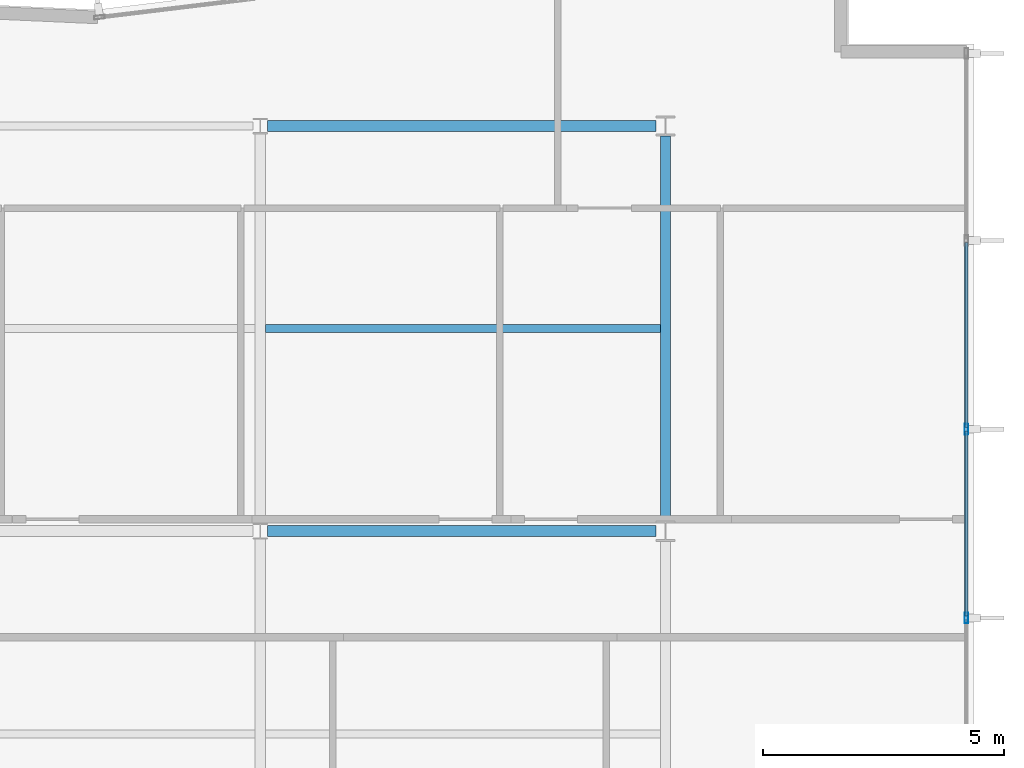
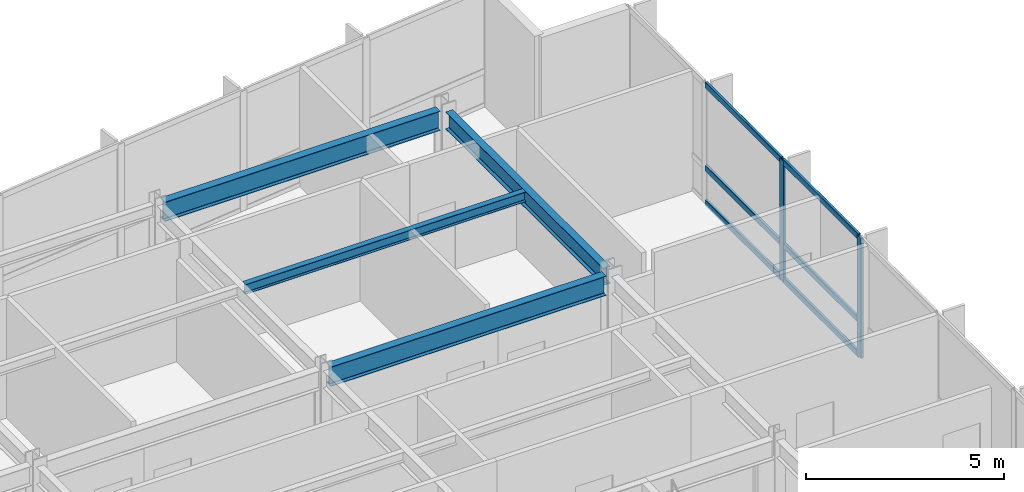
# One storey, part 7 of 17: 8 members, 4 beams, 1 element without a shape of its own.
"""IFC4 building model written with IfcOpenShell, lengths in metres."""

from ifc_helpers import new_model, si_unit, direction, frame, origin, origin_2d, place, context, subcontext, project, spatial, hollow_rectangle, i_section, extrude, material, layer, layer_set, material_profile, profile_set, type_object, element, aggregate, save


model = new_model("IFC4")

# Units and contexts
model_context = context("Model", 3, precision=1e-05, world=origin(), true_north=direction((0.0, 1.0)))
body_context = subcontext(model_context, "Body", "Model", "MODEL_VIEW")
ifc_project = project(units=[si_unit("LENGTHUNIT", "METRE"), si_unit("AREAUNIT", "SQUARE_METRE"), si_unit("VOLUMEUNIT", "CUBIC_METRE"), si_unit("PLANEANGLEUNIT", "RADIAN"), si_unit("MASSUNIT", "GRAM", prefix="KILO")], contexts=[model_context])

# Site, building, storey
site_placement = place(None, origin())
site = spatial("IfcSite", under=ifc_project, at=site_placement, CompositionType="ELEMENT")
building_placement = place(site_placement, origin())
building = spatial("IfcBuilding", under=site, at=building_placement, Name="Varnakote Quay Hospital", CompositionType="ELEMENT")
storey_placement = place(building_placement, frame((0.0, 0.0, 127.050048828125)))
storey = spatial("IfcBuildingStorey", under=building, at=storey_placement, Name="L31", CompositionType="ELEMENT", Elevation=127.050048828125)

# Beams
ifc_material_1 = material(Name="Structural steel AS/NZS 3679.1 Grade 350 L0 (fy 340 MPa)", Category="steel")
ifc_material_profile_1 = material_profile(ifc_material_1, i_section(OverallWidth=0.208984375, OverallDepth=0.532958984375, WebThickness=0.01025390625, FlangeThickness=0.015625, FilletRadius=0.013916015625, at=origin_2d()), Name="530UB92.4")
ifc_profile_set_1 = profile_set([ifc_material_profile_1], Name="Structural steel AS/NZS 3679.1 Grade 350 L0 (fy 340 MPa)")
beam_type_1 = type_object("IfcBeamType", Name="BM-STL-530UB92-4", PredefinedType="BEAM", material=ifc_profile_set_1)
beam_1_placement = place(storey_placement, frame((50.39990234375, 20.610107421875, 3.443359375), z_axis=(0.0, 1.0, 0.0), x_axis=(-1.0, 0.0, 0.0)))
element("IfcBeam", 1, at=beam_1_placement, inside=storey, type_object=beam_type_1, Name="L31 Primary Tie Beam", PredefinedType="BEAM", context=body_context, shape_type="SweptSolid", body=[
    extrude(i_section(OverallWidth=0.208984375, OverallDepth=0.532958984375, WebThickness=0.01025390625, FlangeThickness=0.015625, FilletRadius=0.013916015625, at=origin_2d()), origin(), (0.0, 0.0, 1.0), 7.97998046875),
])
ifc_material_2 = material(Name="Structural steel AS/NZS 3679.1 Grade 350 L0 (fy 340 MPa)", Category="steel")
ifc_material_profile_2 = material_profile(ifc_material_2, i_section(OverallWidth=0.22802734375, OverallDepth=0.60205078125, WebThickness=0.010498046875, FlangeThickness=0.014892578125, FilletRadius=0.013916015625, at=origin_2d()), Name="610UB101")
ifc_profile_set_2 = profile_set([ifc_material_profile_2], Name="Structural steel AS/NZS 3679.1 Grade 350 L0 (fy 340 MPa)")
beam_type_2 = type_object("IfcBeamType", Name="BM-STL-610UB101", PredefinedType="BEAM", material=ifc_profile_set_2)
for number, where, z_axis, x_axis, name in (
    (2, (42.154541015625, 20.39990234375, 3.408935546875), (1.0, 0.0, 0.0), (0.0, 1.0, 0.0), "L31 Primary Floor Beam"),
    (3, (42.154541015625, 28.800048828125, 3.408935546875), (1.0, 0.0, 0.0), (0.0, 1.0, 0.0), "L31 Primary Floor Beam"),
):
    element("IfcBeam", number, at=place(storey_placement, frame(where, z_axis=z_axis, x_axis=x_axis)), inside=storey, type_object=beam_type_2, Name=name, PredefinedType="BEAM", context=body_context, shape_type="SweptSolid", body=[
        extrude(i_section(OverallWidth=0.22802734375, OverallDepth=0.60205078125, WebThickness=0.010498046875, FlangeThickness=0.014892578125, FilletRadius=0.013916015625, at=origin_2d()), origin(), (0.0, 0.0, 1.0), 8.04541015625),
    ])

# Curtain wall, members
ifc_material_3 = material(Name="Anodised aluminium 6063-T6 Bronze", Category="aluminium")
ifc_layer = layer(ifc_material_3, 0.205078125)
ifc_layer_set = layer_set([ifc_layer], Name="Anodised aluminium 6063-T6 Bronze")
curtain_wall_type = type_object("IfcCurtainWallType", Name="CW-SYS-3", PredefinedType="NOTDEFINED", material=ifc_layer_set)
curtain_wall_placement = place(storey_placement, origin())
curtain_wall = element("IfcCurtainWall", 4, at=curtain_wall_placement, inside=storey, type_object=curtain_wall_type, Name="L31 Unitised Bronze Curtain Wall 1", PredefinedType="NOTDEFINED")
ifc_material_4 = material(Name="Anodised aluminium 6063-T6 Bronze", Category="aluminium")
ifc_material_profile_3 = material_profile(ifc_material_4, hollow_rectangle(XDim=0.074951171875, YDim=0.219970703125, WallThickness=0.00439453125, InnerFilletRadius=0.00439453125, OuterFilletRadius=0.009033203125, at=origin_2d()), Name="CW-MULL-220x75")
ifc_profile_set_3 = profile_set([ifc_material_profile_3], Name="Anodised aluminium 6063-T6 Bronze")
member_type_1 = type_object("IfcMemberType", Name="CW-MULL-220x75", PredefinedType="MULLION", material=ifc_profile_set_3)
member_1_placement = place(storey_placement, frame((56.639892578125, 18.60009765625, 0.0), z_axis=(0.0, 0.0, 1.0), x_axis=(-1.0, 0.0, 0.0)))
member_1 = element("IfcMember", 5, at=member_1_placement, type_object=member_type_1, Name="-3-L31-1 mullion 4", PredefinedType="MULLION", context=body_context, shape_type="SweptSolid", body=[
    extrude(hollow_rectangle(XDim=0.074951171875, YDim=0.219970703125, WallThickness=0.00439453125, InnerFilletRadius=0.00439453125, OuterFilletRadius=0.009033203125, at=origin_2d()), origin(), (0.0, 0.0, 1.0), 3.7099609375),
])
member_2_placement = place(storey_placement, frame((56.639892578125, 22.513427734375, 0.0), z_axis=(0.0, 0.0, 1.0), x_axis=(-1.0, 0.0, 0.0)))
member_2 = element("IfcMember", 6, at=member_2_placement, type_object=member_type_1, Name="-3-L31-1 mullion 5", PredefinedType="MULLION", context=body_context, shape_type="SweptSolid", body=[
    extrude(hollow_rectangle(XDim=0.074951171875, YDim=0.219970703125, WallThickness=0.00439453125, InnerFilletRadius=0.00439453125, OuterFilletRadius=0.009033203125, at=origin_2d()), origin(), (0.0, 0.0, 1.0), 3.7099609375),
])
ifc_material_5 = material(Name="Anodised aluminium 6063-T6 Bronze", Category="aluminium")
ifc_material_profile_4 = material_profile(ifc_material_5, hollow_rectangle(XDim=0.074951171875, YDim=0.179931640625, WallThickness=0.004150390625, InnerFilletRadius=0.004150390625, OuterFilletRadius=0.00830078125, at=origin_2d()), Name="CW-TRAN-180x75")
ifc_profile_set_4 = profile_set([ifc_material_profile_4], Name="Anodised aluminium 6063-T6 Bronze")
member_type_2 = type_object("IfcMemberType", Name="CW-TRAN-180x75", PredefinedType="USERDEFINED", material=ifc_profile_set_4)
member_3_placement = place(storey_placement, frame((56.639892578125, 18.637451171875, 0.037353515625), z_axis=(0.0, 1.0, 0.0), x_axis=(-1.0, 0.0, 0.0)))
member_3 = element("IfcMember", 7, at=member_3_placement, type_object=member_type_2, Name="-3-L31-1 transom 4.1", ObjectType="TRANSOM", PredefinedType="USERDEFINED", context=body_context, shape_type="SweptSolid", body=[
    extrude(hollow_rectangle(XDim=0.074951171875, YDim=0.179931640625, WallThickness=0.004150390625, InnerFilletRadius=0.004150390625, OuterFilletRadius=0.00830078125, at=origin_2d()), origin(), (0.0, 0.0, 1.0), 3.83837890625),
])
member_4_placement = place(storey_placement, frame((56.639892578125, 18.637451171875, 1.099853515625), z_axis=(0.0, 1.0, 0.0), x_axis=(-1.0, 0.0, 0.0)))
member_4 = element("IfcMember", 8, at=member_4_placement, type_object=member_type_2, Name="-3-L31-1 transom 4.2", ObjectType="TRANSOM", PredefinedType="USERDEFINED", context=body_context, shape_type="SweptSolid", body=[
    extrude(hollow_rectangle(XDim=0.074951171875, YDim=0.179931640625, WallThickness=0.004150390625, InnerFilletRadius=0.004150390625, OuterFilletRadius=0.00830078125, at=origin_2d()), origin(), (0.0, 0.0, 1.0), 3.83837890625),
])
member_5_placement = place(storey_placement, frame((56.639892578125, 18.637451171875, 3.67236328125), z_axis=(0.0, 1.0, 0.0), x_axis=(-1.0, 0.0, 0.0)))
member_5 = element("IfcMember", 9, at=member_5_placement, type_object=member_type_2, Name="-3-L31-1 transom 4.3", ObjectType="TRANSOM", PredefinedType="USERDEFINED", context=body_context, shape_type="SweptSolid", body=[
    extrude(hollow_rectangle(XDim=0.074951171875, YDim=0.179931640625, WallThickness=0.004150390625, InnerFilletRadius=0.004150390625, OuterFilletRadius=0.00830078125, at=origin_2d()), origin(), (0.0, 0.0, 1.0), 3.83837890625),
])
member_6_placement = place(storey_placement, frame((56.639892578125, 22.55078125, 0.037353515625), z_axis=(0.0, 1.0, 0.0), x_axis=(-1.0, 0.0, 0.0)))
member_6 = element("IfcMember", 10, at=member_6_placement, type_object=member_type_2, Name="-3-L31-1 transom 5.1", ObjectType="TRANSOM", PredefinedType="USERDEFINED", context=body_context, shape_type="SweptSolid", body=[
    extrude(hollow_rectangle(XDim=0.074951171875, YDim=0.179931640625, WallThickness=0.004150390625, InnerFilletRadius=0.004150390625, OuterFilletRadius=0.00830078125, at=origin_2d()), origin(), (0.0, 0.0, 1.0), 3.83837890625),
])
member_7_placement = place(storey_placement, frame((56.639892578125, 22.55078125, 1.099853515625), z_axis=(0.0, 1.0, 0.0), x_axis=(-1.0, 0.0, 0.0)))
member_7 = element("IfcMember", 11, at=member_7_placement, type_object=member_type_2, Name="-3-L31-1 transom 5.2", ObjectType="TRANSOM", PredefinedType="USERDEFINED", context=body_context, shape_type="SweptSolid", body=[
    extrude(hollow_rectangle(XDim=0.074951171875, YDim=0.179931640625, WallThickness=0.004150390625, InnerFilletRadius=0.004150390625, OuterFilletRadius=0.00830078125, at=origin_2d()), origin(), (0.0, 0.0, 1.0), 3.83837890625),
])
member_8_placement = place(storey_placement, frame((56.639892578125, 22.55078125, 3.67236328125), z_axis=(0.0, 1.0, 0.0), x_axis=(-1.0, 0.0, 0.0)))
member_8 = element("IfcMember", 12, at=member_8_placement, type_object=member_type_2, Name="-3-L31-1 transom 5.3", ObjectType="TRANSOM", PredefinedType="USERDEFINED", context=body_context, shape_type="SweptSolid", body=[
    extrude(hollow_rectangle(XDim=0.074951171875, YDim=0.179931640625, WallThickness=0.004150390625, InnerFilletRadius=0.004150390625, OuterFilletRadius=0.00830078125, at=origin_2d()), origin(), (0.0, 0.0, 1.0), 3.83837890625),
])
aggregate(curtain_wall, [member_1, member_2, member_3, member_4, member_5, member_6, member_7, member_8])

# Beam
ifc_material_6 = material(Name="Structural steel AS/NZS 3679.1 Grade 350 L0 (fy 340 MPa)", Category="steel")
ifc_material_profile_5 = material_profile(ifc_material_6, i_section(OverallWidth=0.166015625, OverallDepth=0.306884765625, WebThickness=0.006591796875, FlangeThickness=0.01171875, FilletRadius=0.011474609375, at=origin_2d()), Name="310UB46.2")
ifc_profile_set_5 = profile_set([ifc_material_profile_5], Name="Structural steel AS/NZS 3679.1 Grade 350 L0 (fy 340 MPa)")
beam_type_3 = type_object("IfcBeamType", Name="JST-STL-310UB46-2", PredefinedType="JOIST", material=ifc_profile_set_5)
beam_2_placement = place(storey_placement, frame((42.1044921875, 24.60009765625, 3.556396484375), z_axis=(1.0, 0.0, 0.0), x_axis=(0.0, 1.0, 0.0)))
element("IfcBeam", 13, at=beam_2_placement, inside=storey, type_object=beam_type_3, Name="L31 Composite Floor Joist", PredefinedType="JOIST", context=body_context, shape_type="SweptSolid", body=[
    extrude(i_section(OverallWidth=0.166015625, OverallDepth=0.306884765625, WebThickness=0.006591796875, FlangeThickness=0.01171875, FilletRadius=0.011474609375, at=origin_2d()), origin(), (0.0, 0.0, 1.0), 8.19091796875),
])

save(model, "model.ifc")
